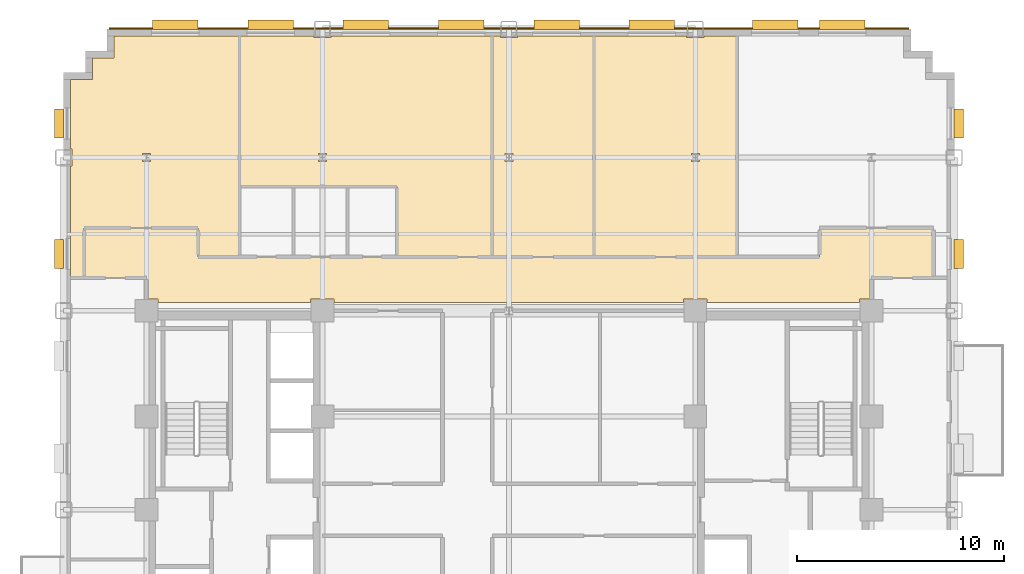
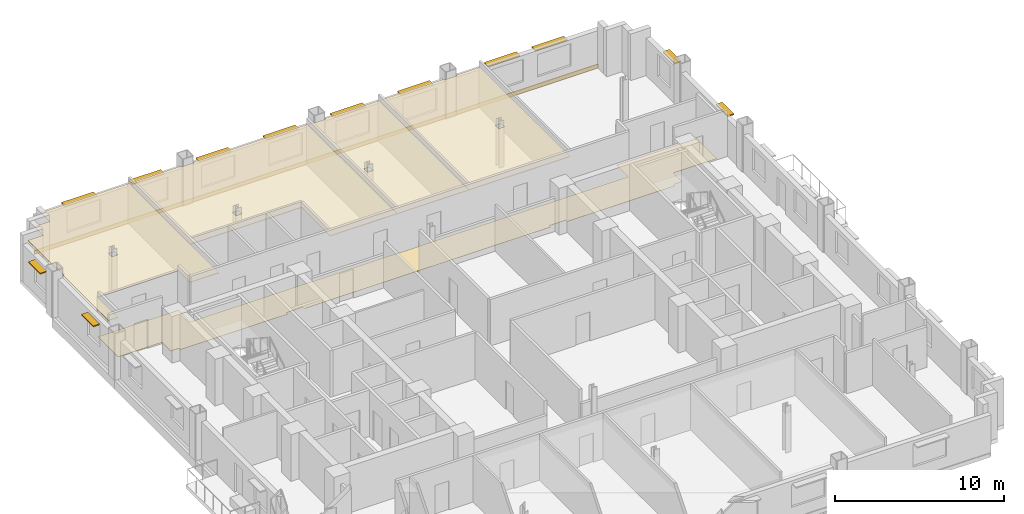
# One storey, part 14 of 14: 12 shading devices, 6 coverings.
"""IFC4 building model written with IfcOpenShell, lengths in metres."""

from ifc_helpers import new_model, si_unit, direction, frame, origin, origin_2d, place, context, subcontext, project, spatial, polyline, rectangle, outline, extrude, source, transform, mapped, material, layer, layer_set, type_object, type_shapes, element, save


model = new_model("IFC4")

# Units and contexts
model_context = context("Model", 3, precision=1e-05, world=origin(), true_north=direction((0.0, 1.0)))
body_context = subcontext(model_context, "Body", "Model", "MODEL_VIEW")
ifc_project = project(units=[si_unit("LENGTHUNIT", "METRE"), si_unit("AREAUNIT", "SQUARE_METRE"), si_unit("VOLUMEUNIT", "CUBIC_METRE"), si_unit("PLANEANGLEUNIT", "RADIAN"), si_unit("MASSUNIT", "GRAM", prefix="KILO")], contexts=[model_context])

# Site, building, storey
site_placement = place(None, origin())
site = spatial("IfcSite", under=ifc_project, at=site_placement, CompositionType="ELEMENT")
building_placement = place(site_placement, origin())
building = spatial("IfcBuilding", under=site, at=building_placement, Name="Nuvemarco Arch Tower", CompositionType="ELEMENT")
storey_placement = place(building_placement, frame((0.0, 0.0, 71.39990234375)))
storey = spatial("IfcBuildingStorey", under=building, at=storey_placement, Name="L18", CompositionType="ELEMENT", Elevation=71.39990234375)

# Coverings
ifc_material_1 = material(Name="Mineral acoustic ceiling tile")
ifc_layer_1 = layer(ifc_material_1, 0.0400390625, Name="COV-ACOUSTIC-CLG")
ifc_layer_set_1 = layer_set([ifc_layer_1], Name="Mineral acoustic ceiling tile")
covering_type_1 = type_object("IfcCoveringType", Name="COV-ACOUSTIC-CLG", PredefinedType="CEILING", material=ifc_layer_set_1)
covering_1_placement = place(storey_placement, frame((0.0, 0.0, 2.85009765625)))
element("IfcCovering", 1, at=covering_1_placement, inside=storey, type_object=covering_type_1, Name="L18 suspended acoustic ceiling 1", PredefinedType="CEILING", context=body_context, shape_type="SweptSolid", body=[
    extrude(outline(polyline([(-10.39990234375, 15.60009765625), (-13.0, 15.60009765625), (-13.0, 22.860107421875), (-9.4150390625, 22.860107421875), (-9.4150390625, 22.784912109375), (-8.5849609375, 22.784912109375), (-8.5849609375, 22.860107421875), (-0.800048828125, 22.860107421875), (-0.800048828125, 12.199951171875), (-3.199951171875, 12.199951171875), (-5.39990234375, 12.199951171875), (-5.39990234375, 15.60009765625), (-7.800048828125, 15.60009765625), (-10.39990234375, 15.60009765625)]), holes=[polyline([(-8.804931640625, 16.804931640625), (-8.804931640625, 17.195068359375), (-9.195068359375, 17.195068359375), (-9.195068359375, 16.804931640625), (-8.804931640625, 16.804931640625)])]), origin(), (0.0, 0.0, 1.0), 0.0400390625),
])
covering_2_placement = place(storey_placement, frame((0.0, 0.0, 2.85009765625)))
element("IfcCovering", 2, at=covering_2_placement, inside=storey, type_object=covering_type_1, Name="L18 suspended acoustic ceiling 2", PredefinedType="CEILING", context=body_context, shape_type="SweptSolid", body=[
    extrude(outline(polyline([(-21.159912109375, 11.199951171875), (-21.159912109375, 16.5849609375), (-21.0849609375, 16.5849609375), (-21.0849609375, 17.4150390625), (-21.159912109375, 17.4150390625), (-21.159912109375, 20.760009765625), (-20.110107421875, 20.760009765625), (-20.110107421875, 21.81005859375), (-19.06005859375, 21.81005859375), (-19.06005859375, 22.860107421875), (-13.0, 22.860107421875), (-13.0, 15.60009765625), (-13.0, 12.199951171875), (-15.0, 12.199951171875), (-15.0, 13.60009765625), (-20.5, 13.60009765625), (-20.5, 11.199951171875), (-21.159912109375, 11.199951171875)]), holes=[polyline([(-17.304931640625, 16.804931640625), (-17.304931640625, 17.195068359375), (-17.695068359375, 17.195068359375), (-17.695068359375, 16.804931640625), (-17.304931640625, 16.804931640625)])]), origin(), (0.0, 0.0, 1.0), 0.0400390625),
])
covering_3_placement = place(storey_placement, frame((0.0, 0.0, 2.85009765625)))
element("IfcCovering", 3, at=covering_3_placement, inside=storey, type_object=covering_type_1, Name="L18 suspended acoustic ceiling 4", PredefinedType="CEILING", context=body_context, shape_type="SweptSolid", body=[
    extrude(outline(polyline([(11.02001953125, 12.199951171875), (4.110107421875, 12.199951171875), (4.110107421875, 22.860107421875), (8.5849609375, 22.860107421875), (8.5849609375, 22.784912109375), (9.4150390625, 22.784912109375), (9.4150390625, 22.860107421875), (11.02001953125, 22.860107421875), (11.02001953125, 12.199951171875)]), holes=[polyline([(9.195068359375, 17.195068359375), (8.804931640625, 17.195068359375), (8.804931640625, 16.804931640625), (9.195068359375, 16.804931640625), (9.195068359375, 17.195068359375)])]), origin(), (0.0, 0.0, 1.0), 0.0400390625),
])
covering_4_placement = place(storey_placement, frame((0.0, 0.0, 2.85009765625)))
element("IfcCovering", 4, at=covering_4_placement, inside=storey, type_object=covering_type_1, Name="L18 suspended acoustic ceiling 7", PredefinedType="CEILING", context=body_context, shape_type="SweptSolid", body=[
    extrude(outline(polyline([(4.110107421875, 12.199951171875), (-0.800048828125, 12.199951171875), (-0.800048828125, 22.860107421875), (-0.4150390625, 22.860107421875), (-0.4150390625, 22.784912109375), (0.4150390625, 22.784912109375), (0.4150390625, 22.860107421875), (4.110107421875, 22.860107421875), (4.110107421875, 12.199951171875)]), holes=[polyline([(0.195068359375, 16.804931640625), (0.195068359375, 17.195068359375), (-0.195068359375, 17.195068359375), (-0.195068359375, 16.804931640625), (0.195068359375, 16.804931640625)])]), origin(), (0.0, 0.0, 1.0), 0.0400390625),
])
ifc_material_2 = material(Name="Polished granite terrazzostone flooring", Category="masonry")
ifc_layer_2 = layer(ifc_material_2, 0.02001953125, Name="COV-LOBBY-FLR")
ifc_layer_set_2 = layer_set([ifc_layer_2], Name="Polished granite terrazzostone flooring")
covering_type_2 = type_object("IfcCoveringType", Name="COV-LOBBY-FLR", PredefinedType="FLOORING", material=ifc_layer_set_2)
covering_5_placement = place(storey_placement, origin())
element("IfcCovering", 5, at=covering_5_placement, inside=storey, type_object=covering_type_2, Name="L18 polished terrazzo lobby flooring", PredefinedType="FLOORING", context=body_context, shape_type="SweptSolid", body=[
    extrude(outline(polyline([(-8.43505859375, 10.1650390625), (-9.56494140625, 10.1650390625), (-9.56494140625, 10.0), (-16.93505859375, 10.0), (-16.93505859375, 10.1650390625), (-17.5, 10.1650390625), (-17.5, 11.199951171875), (-20.5, 11.199951171875), (-20.5, 13.60009765625), (-15.0, 13.60009765625), (-15.0, 12.199951171875), (-3.199951171875, 12.199951171875), (-0.800048828125, 12.199951171875), (15.0, 12.199951171875), (15.0, 13.60009765625), (20.5, 13.60009765625), (20.5, 11.199951171875), (17.5, 11.199951171875), (17.5, 10.1650390625), (16.93505859375, 10.1650390625), (16.93505859375, 10.0), (9.56494140625, 10.0), (9.56494140625, 10.1650390625), (8.43505859375, 10.1650390625), (8.43505859375, 10.0), (-8.43505859375, 10.0), (-8.43505859375, 10.1650390625)])), origin(), (0.0, 0.0, 1.0), 0.02001953125),
])

# Shading devices
ifc_material_3 = material(Name="Anodised aluminium 6063-T6", Category="aluminium")
shading_device_type_1 = type_object("IfcShadingDeviceType", Name="SHD-BRISE-SOLEIL", PredefinedType="USERDEFINED", material=ifc_material_3)
shared_shape_1 = source(origin(), body_context, "Body", "SweptSolid", [
    extrude(rectangle(XDim=2.199951171875, YDim=0.449951171875, at=origin_2d()), origin(), (0.0, 0.0, 1.0), 0.080078125),
])
type_shapes(shading_device_type_1, [shared_shape_1])
for number, where, z_axis, x_axis, name in (
    (6, (-16.10009765625, 23.4150390625, 2.425048828125), (0.0, 0.0, 1.0), (1.0, 0.0, 0.0), "L18 horizontal brise-soleil sunshade"),
    (7, (-11.5, 23.4150390625, 2.425048828125), (0.0, 0.0, 1.0), (1.0, 0.0, 0.0), "L18 horizontal brise-soleil sunshade"),
    (8, (-6.89990234375, 23.4150390625, 2.425048828125), (0.0, 0.0, 1.0), (1.0, 0.0, 0.0), "L18 horizontal brise-soleil sunshade"),
    (9, (-2.300048828125, 23.4150390625, 2.425048828125), (0.0, 0.0, 1.0), (1.0, 0.0, 0.0), "L18 horizontal brise-soleil sunshade"),
    (10, (2.300048828125, 23.4150390625, 2.425048828125), (0.0, 0.0, 1.0), (1.0, 0.0, 0.0), "L18 horizontal brise-soleil sunshade"),
    (11, (6.89990234375, 23.4150390625, 2.425048828125), (0.0, 0.0, 1.0), (1.0, 0.0, 0.0), "L18 horizontal brise-soleil sunshade"),
    (12, (12.85009765625, 23.4150390625, 2.425048828125), (0.0, 0.0, 1.0), (1.0, 0.0, 0.0), "L18 horizontal brise-soleil sunshade"),
    (13, (16.10009765625, 23.4150390625, 2.425048828125), (0.0, 0.0, 1.0), (1.0, 0.0, 0.0), "L18 horizontal brise-soleil sunshade"),
):
    element("IfcShadingDevice", number, at=place(storey_placement, frame(where, z_axis=z_axis, x_axis=x_axis)), inside=storey, type_object=shading_device_type_1, Name=name, ObjectType="SUNSHADE", PredefinedType="USERDEFINED", context=body_context, shape_type="MappedRepresentation", body=[
        mapped(shared_shape_1, transform((0.0, 0.0, 0.0), scale=1.0)),
    ])
shading_device_type_2 = type_object("IfcShadingDeviceType", Name="SHD-BRISE-NARROW", PredefinedType="USERDEFINED", material=ifc_material_3)
shared_shape_2 = source(origin(), body_context, "Body", "SweptSolid", [
    extrude(rectangle(XDim=1.39990234375, YDim=0.449951171875, at=origin_2d()), origin(), (0.0, 0.0, 1.0), 0.080078125),
])
type_shapes(shading_device_type_2, [shared_shape_2])
for number, where, z_axis, x_axis, name in (
    (14, (21.715087890625, 12.3525390625, 2.405029296875), (0.0, 0.0, 1.0), (0.0, 1.0, 0.0), "L18 horizontal brise-soleil sunshade"),
    (15, (21.715087890625, 18.6435546875, 2.405029296875), (0.0, 0.0, 1.0), (0.0, 1.0, 0.0), "L18 horizontal brise-soleil sunshade"),
    (16, (-21.715087890625, 12.3525390625, 2.405029296875), (0.0, 0.0, 1.0), (0.0, 1.0, 0.0), "L18 horizontal brise-soleil sunshade"),
    (17, (-21.715087890625, 18.6435546875, 2.405029296875), (0.0, 0.0, 1.0), (0.0, 1.0, 0.0), "L18 horizontal brise-soleil sunshade"),
):
    element("IfcShadingDevice", number, at=place(storey_placement, frame(where, z_axis=z_axis, x_axis=x_axis)), inside=storey, type_object=shading_device_type_2, Name=name, ObjectType="SUNSHADE", PredefinedType="USERDEFINED", context=body_context, shape_type="MappedRepresentation", body=[
        mapped(shared_shape_2, transform((0.0, 0.0, 0.0), scale=1.0)),
    ])

# Covering
ifc_material_4 = material(Name="Precast concrete C45/55", Category="concrete")
ifc_layer_3 = layer(ifc_material_4, 0.06005859375, Name="COV-SPANDREL-CLAD")
ifc_layer_set_3 = layer_set([ifc_layer_3], Name="Precast concrete C45/55")
covering_type_3 = type_object("IfcCoveringType", Name="COV-SPANDREL-CLAD", PredefinedType="CLADDING", material=ifc_layer_set_3)
shared_shape_3 = source(origin(), body_context, "Body", "SweptSolid", [
    extrude(rectangle(XDim=38.60009765625, YDim=0.06005859375, at=origin_2d()), origin(), (0.0, 0.0, 1.0), 0.280029296875),
])
type_shapes(covering_type_3, [shared_shape_3])
covering_6_placement = place(storey_placement, frame((0.0, 23.22900390625, -0.27978515625), z_axis=(0.0, 0.0, 1.0), x_axis=(1.0, 0.0, 0.0)))
element("IfcCovering", 18, at=covering_6_placement, inside=storey, type_object=covering_type_3, Name="L18 precast spandrel edge cladding north", PredefinedType="CLADDING", context=body_context, shape_type="MappedRepresentation", body=[
    mapped(shared_shape_3, transform((0.0, 0.0, 0.0), scale=1.0)),
])

save(model, "model.ifc")
